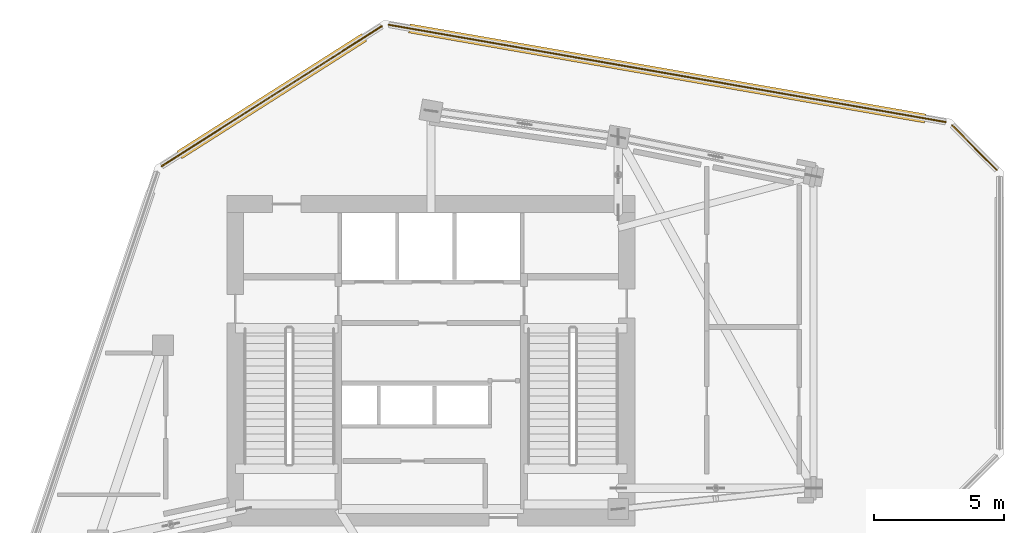
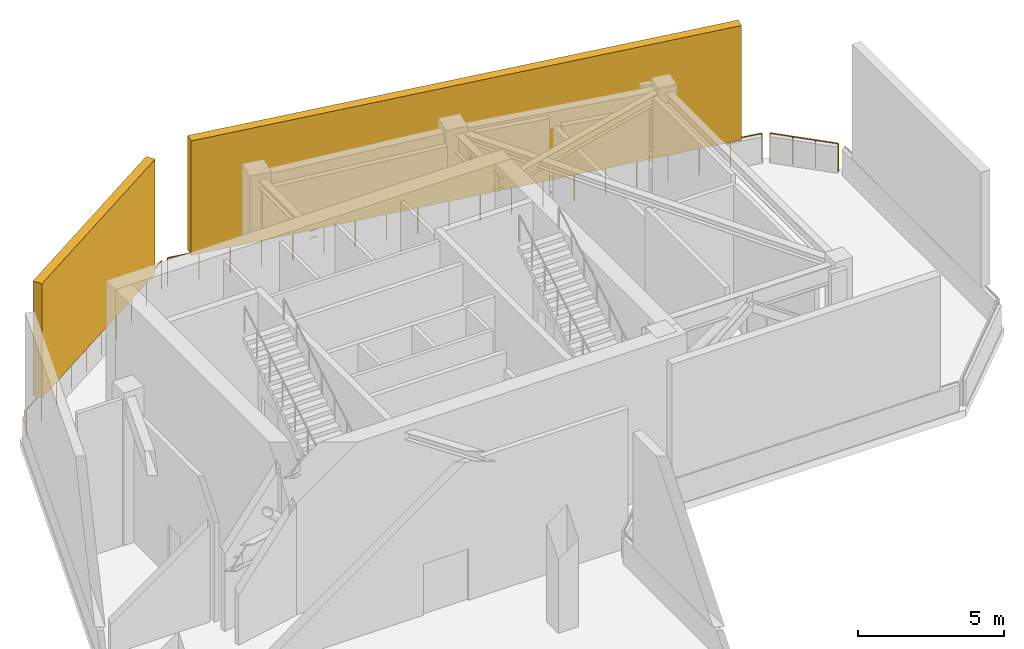
# One storey, part 10 of 10: 3 railings, 2 shading devices.
"""IFC4 building model written with IfcOpenShell, lengths in metres."""

from ifc_helpers import new_model, si_unit, direction, frame, frame_2d, origin, origin_2d, place, context, subcontext, project, spatial, rectangle, circle, extrude, material, type_object, element, save


model = new_model("IFC4")

# Units and contexts
model_context = context("Model", 3, precision=1e-05, world=origin(), true_north=direction((0.0, 1.0)))
body_context = subcontext(model_context, "Body", "Model", "MODEL_VIEW")
ifc_project = project(units=[si_unit("LENGTHUNIT", "METRE"), si_unit("AREAUNIT", "SQUARE_METRE"), si_unit("VOLUMEUNIT", "CUBIC_METRE"), si_unit("PLANEANGLEUNIT", "RADIAN"), si_unit("MASSUNIT", "GRAM", prefix="KILO")], contexts=[model_context])

# Site, building, storey
site_placement = place(None, origin())
site = spatial("IfcSite", under=ifc_project, at=site_placement, CompositionType="ELEMENT")
building_placement = place(site_placement, origin())
building = spatial("IfcBuilding", under=site, at=building_placement, Name="Calvemar Wedge Station Tower", CompositionType="ELEMENT")
storey_placement = place(building_placement, frame((0.0, 0.0, 242.89990234375)))
storey = spatial("IfcBuildingStorey", under=building, at=storey_placement, Name="L62", CompositionType="ELEMENT", Elevation=242.89990234375)

# Railings
ifc_material_1 = material(Name="Stainless steel AISI 316L", Category="steel")
railing_type = type_object("IfcRailingType", Name="GRD-WIND-1200", PredefinedType="GUARDRAIL", material=ifc_material_1)
railing_1_placement = place(storey_placement, frame((45.5439453125, 47.23583984375, 0.0)))
element("IfcRailing", 1, at=railing_1_placement, inside=storey, type_object=railing_type, Name="Wind Floor L62 Perimeter Safety Guard 9", PredefinedType="GUARDRAIL", context=body_context, shape_type="SweptSolid", body=[
    extrude(circle(Radius=0.02392578125, at=origin_2d()), frame((0.0, 0.0, 1.17578125), z_axis=(-0.707106781187, 0.707106781187, 0.0), x_axis=(-0.707106781187, -0.707106781187, 0.0)), (0.0, 0.0, 1.0), 2.4189453125),
    extrude(circle(Radius=0.02099609375, at=origin_2d()), origin(), (0.0, 0.0, 1.0), 1.15185546875),
    extrude(circle(Radius=0.02099609375, at=origin_2d()), frame((-0.570068359375, 0.570068359375, 0.0)), (0.0, 0.0, 1.0), 1.15185546875),
    extrude(circle(Radius=0.02099609375, at=origin_2d()), frame((-1.140380859375, 1.140380859375, 0.0)), (0.0, 0.0, 1.0), 1.15185546875),
    extrude(circle(Radius=0.02099609375, at=origin_2d()), frame((-1.71044921875, 1.71044921875, 0.0)), (0.0, 0.0, 1.0), 1.15185546875),
])
railing_2_placement = place(storey_placement, frame((43.57958984375, 49.078125, 0.0)))
element("IfcRailing", 2, at=railing_2_placement, inside=storey, type_object=railing_type, Name="Wind Floor L62 Perimeter Safety Guard 10", PredefinedType="GUARDRAIL", context=body_context, shape_type="SweptSolid", body=[
    extrude(circle(Radius=0.02392578125, at=origin_2d()), frame((0.0, 0.0, 1.17578125), z_axis=(-0.985083469067, 0.172077188993, 0.0), x_axis=(-0.172077188993, -0.985083469067, 0.0)), (0.0, 0.0, 1.0), 21.724365234375),
    extrude(circle(Radius=0.02099609375, at=origin_2d()), origin(), (0.0, 0.0, 1.0), 1.15185546875),
    extrude(circle(Radius=0.02099609375, at=origin_2d()), frame((-1.126220703125, 0.19677734375, 0.0)), (0.0, 0.0, 1.0), 1.15185546875),
    extrude(circle(Radius=0.02099609375, at=origin_2d()), frame((-2.252685546875, 0.3935546875, 0.0)), (0.0, 0.0, 1.0), 1.15185546875),
    extrude(circle(Radius=0.02099609375, at=origin_2d()), frame((-3.37890625, 0.59033203125, 0.0)), (0.0, 0.0, 1.0), 1.15185546875),
    extrude(circle(Radius=0.02099609375, at=origin_2d()), frame((-4.50537109375, 0.787109375, 0.0)), (0.0, 0.0, 1.0), 1.15185546875),
    extrude(circle(Radius=0.02099609375, at=origin_2d()), frame((-5.631591796875, 0.983642578125, 0.0)), (0.0, 0.0, 1.0), 1.15185546875),
    extrude(circle(Radius=0.02099609375, at=origin_2d()), frame((-6.758056640625, 1.180419921875, 0.0)), (0.0, 0.0, 1.0), 1.15185546875),
    extrude(circle(Radius=0.02099609375, at=origin_2d()), frame((-7.88427734375, 1.377197265625, 0.0)), (0.0, 0.0, 1.0), 1.15185546875),
    extrude(circle(Radius=0.02099609375, at=origin_2d()), frame((-9.0107421875, 1.573974609375, 0.0)), (0.0, 0.0, 1.0), 1.15185546875),
    extrude(circle(Radius=0.02099609375, at=origin_2d()), frame((-10.136962890625, 1.770751953125, 0.0)), (0.0, 0.0, 1.0), 1.15185546875),
    extrude(circle(Radius=0.02099609375, at=origin_2d()), frame((-11.263427734375, 1.967529296875, 0.0)), (0.0, 0.0, 1.0), 1.15185546875),
    extrude(circle(Radius=0.02099609375, at=origin_2d()), frame((-12.3896484375, 2.164306640625, 0.0)), (0.0, 0.0, 1.0), 1.15185546875),
    extrude(circle(Radius=0.02099609375, at=origin_2d()), frame((-13.51611328125, 2.361083984375, 0.0)), (0.0, 0.0, 1.0), 1.15185546875),
    extrude(circle(Radius=0.02099609375, at=origin_2d()), frame((-14.642333984375, 2.557861328125, 0.0)), (0.0, 0.0, 1.0), 1.15185546875),
    extrude(circle(Radius=0.02099609375, at=origin_2d()), frame((-15.768798828125, 2.754638671875, 0.0)), (0.0, 0.0, 1.0), 1.15185546875),
    extrude(circle(Radius=0.02099609375, at=origin_2d()), frame((-16.89501953125, 2.951171875, 0.0)), (0.0, 0.0, 1.0), 1.15185546875),
    extrude(circle(Radius=0.02099609375, at=origin_2d()), frame((-18.021484375, 3.14794921875, 0.0)), (0.0, 0.0, 1.0), 1.15185546875),
    extrude(circle(Radius=0.02099609375, at=origin_2d()), frame((-19.147705078125, 3.3447265625, 0.0)), (0.0, 0.0, 1.0), 1.15185546875),
    extrude(circle(Radius=0.02099609375, at=origin_2d()), frame((-20.274169921875, 3.54150390625, 0.0)), (0.0, 0.0, 1.0), 1.15185546875),
    extrude(circle(Radius=0.02099609375, at=origin_2d()), frame((-21.400390625, 3.73828125, 0.0)), (0.0, 0.0, 1.0), 1.15185546875),
])
railing_3_placement = place(storey_placement, frame((21.90478515625, 52.76171875, 0.0)))
element("IfcRailing", 3, at=railing_3_placement, inside=storey, type_object=railing_type, Name="Wind Floor L62 Perimeter Safety Guard 11", PredefinedType="GUARDRAIL", context=body_context, shape_type="SweptSolid", body=[
    extrude(circle(Radius=0.02392578125, at=origin_2d()), frame((0.0, 0.0, 1.17578125), z_axis=(-0.843655467793, -0.53688495198, 0.0), x_axis=(0.53688495198, -0.843655467793, 0.0)), (0.0, 0.0, 1.0), 10.01953125),
    extrude(circle(Radius=0.02099609375, at=origin_2d()), origin(), (0.0, 0.0, 1.0), 1.15185546875),
    extrude(circle(Radius=0.02099609375, at=origin_2d()), frame((-0.939208984375, -0.59765625, 0.0)), (0.0, 0.0, 1.0), 1.15185546875),
    extrude(circle(Radius=0.02099609375, at=origin_2d()), frame((-1.87841796875, -1.1953125, 0.0)), (0.0, 0.0, 1.0), 1.15185546875),
    extrude(circle(Radius=0.02099609375, at=origin_2d()), frame((-2.817626953125, -1.793212890625, 0.0)), (0.0, 0.0, 1.0), 1.15185546875),
    extrude(circle(Radius=0.02099609375, at=origin_2d()), frame((-3.7568359375, -2.390869140625, 0.0)), (0.0, 0.0, 1.0), 1.15185546875),
    extrude(circle(Radius=0.02099609375, at=origin_2d()), frame((-4.6962890625, -2.988525390625, 0.0)), (0.0, 0.0, 1.0), 1.15185546875),
    extrude(circle(Radius=0.02099609375, at=origin_2d()), frame((-5.635498046875, -3.586181640625, 0.0)), (0.0, 0.0, 1.0), 1.15185546875),
    extrude(circle(Radius=0.02099609375, at=origin_2d()), frame((-6.57470703125, -4.18408203125, 0.0)), (0.0, 0.0, 1.0), 1.15185546875),
    extrude(circle(Radius=0.02099609375, at=origin_2d()), frame((-7.513916015625, -4.78173828125, 0.0)), (0.0, 0.0, 1.0), 1.15185546875),
    extrude(circle(Radius=0.02099609375, at=origin_2d()), frame((-8.453125, -5.37939453125, 0.0)), (0.0, 0.0, 1.0), 1.15185546875),
])

# Shading devices
ifc_material_2 = material(Name="Anodised aluminium 6063-T6", Category="aluminium")
shading_device_type = type_object("IfcShadingDeviceType", Name="SHD-LOUVRE-1", PredefinedType="JALOUSIE", material=ifc_material_2)
shading_device_1_placement = place(storey_placement, frame((42.79150390625, 49.2158203125, 1.2001953125), z_axis=(0.0, 0.0, 1.0), x_axis=(-0.985083978055, 0.172074275181, 0.0)))
element("IfcShadingDevice", 4, at=shading_device_1_placement, inside=storey, type_object=shading_device_type, Name="Wind Floor L62 Jalousie Intake Louvre 10", PredefinedType="JALOUSIE", context=body_context, shape_type="SweptSolid", body=[
    extrude(rectangle(XDim=20.12451171875, YDim=0.35009765625, at=frame_2d((10.062255859375, 0.0))), origin(), (0.0, 0.0, 1.0), 4.7998046875),
])
shading_device_2_placement = place(storey_placement, frame((21.22998046875, 52.332275390625, 1.2001953125), z_axis=(0.0, 0.0, 1.0), x_axis=(-0.843661487732, -0.536875492193, 0.0)))
element("IfcShadingDevice", 5, at=shading_device_2_placement, inside=storey, type_object=shading_device_type, Name="Wind Floor L62 Jalousie Intake Louvre 11", PredefinedType="JALOUSIE", context=body_context, shape_type="SweptSolid", body=[
    extrude(rectangle(XDim=8.419677734375, YDim=0.35009765625, at=frame_2d((4.2099609375, 0.0))), origin(), (0.0, 0.0, 1.0), 4.7998046875),
])

save(model, "model.ifc")
